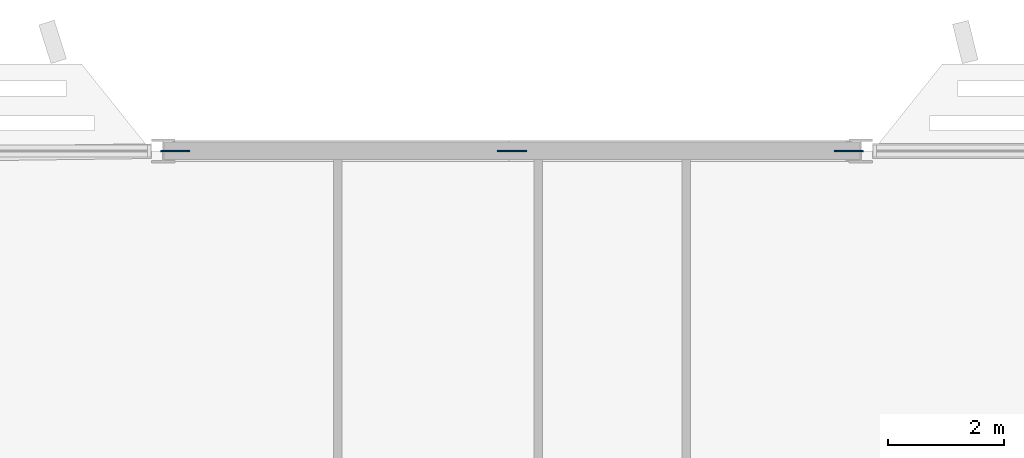
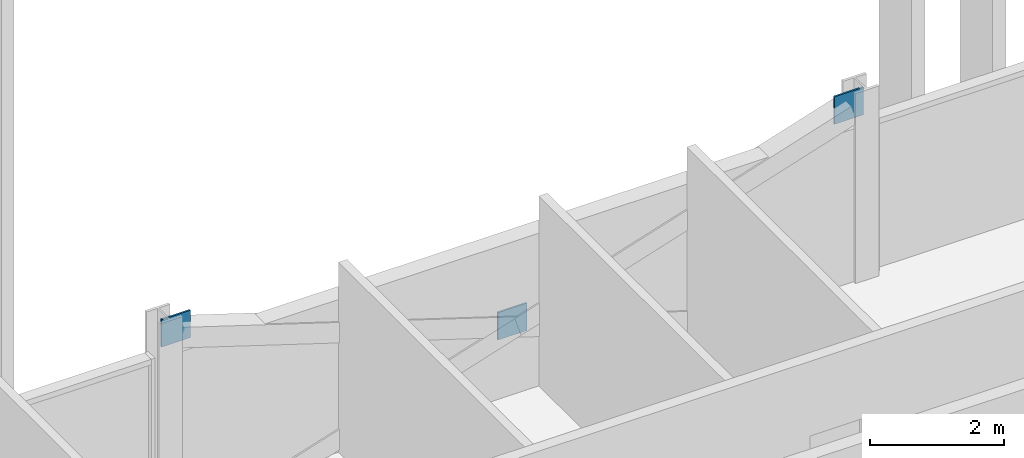
# One storey, part 20 of 28: 3 discrete accessories.
"""IFC4 building model written with IfcOpenShell, lengths in metres."""

from ifc_helpers import new_model, si_unit, direction, frame, origin, origin_2d, place, context, subcontext, project, spatial, rectangle, extrude, material, layer, layer_set, type_object, element, save


model = new_model("IFC4")

# Units and contexts
model_context = context("Model", 3, precision=1e-05, world=origin(), true_north=direction((0.0, 1.0)))
body_context = subcontext(model_context, "Body", "Model", "MODEL_VIEW")
ifc_project = project(units=[si_unit("LENGTHUNIT", "METRE"), si_unit("AREAUNIT", "SQUARE_METRE"), si_unit("VOLUMEUNIT", "CUBIC_METRE"), si_unit("PLANEANGLEUNIT", "RADIAN"), si_unit("MASSUNIT", "GRAM", prefix="KILO")], contexts=[model_context])

# Site, building, storey
site_placement = place(None, origin())
site = spatial("IfcSite", under=ifc_project, at=site_placement, CompositionType="ELEMENT")
building_placement = place(site_placement, origin())
building = spatial("IfcBuilding", under=site, at=building_placement, Name="Mahtab Terrace Research Tower", CompositionType="ELEMENT")
storey_placement = place(building_placement, frame((0.0, 0.0, 174.39990234375)))
storey = spatial("IfcBuildingStorey", under=building, at=storey_placement, Name="L41", CompositionType="ELEMENT", Elevation=174.39990234375)

# Discrete accessories
ifc_material = material(Name="Steel ASTM A992 Gr 50", Category="steel")
ifc_layer = layer(ifc_material, 0.030029296875)
ifc_layer_set = layer_set([ifc_layer], Name="Gusset plate 500x500x30")
discrete_accessory_type = type_object("IfcDiscreteAccessoryType", Name="Gusset plate 500x500x30", PredefinedType="USERDEFINED", material=ifc_layer_set)
for number, where, z_axis, x_axis, name in (
    (1, (-29.796875, 23.0, 2.87109375), (0.0, 0.0, 1.0), (1.0, 0.0, 0.0), "Gusset plate"),
    (2, (-24.0, 23.0, 0.970947265625), (0.0, 0.0, 1.0), (1.0, 0.0, 0.0), "Gusset plate"),
    (3, (-18.203125, 23.0, 2.87109375), (0.0, 0.0, 1.0), (1.0, 0.0, 0.0), "Gusset plate"),
):
    element("IfcDiscreteAccessory", number, at=place(storey_placement, frame(where, z_axis=z_axis, x_axis=x_axis)), inside=storey, type_object=discrete_accessory_type, Name=name, ObjectType="GUSSET PLATE", PredefinedType="USERDEFINED", context=body_context, shape_type="SweptSolid", body=[
        extrude(rectangle(XDim=0.5, YDim=0.030029296875, at=origin_2d()), origin(), (0.0, 0.0, 1.0), 0.5),
    ])

save(model, "model.ifc")
